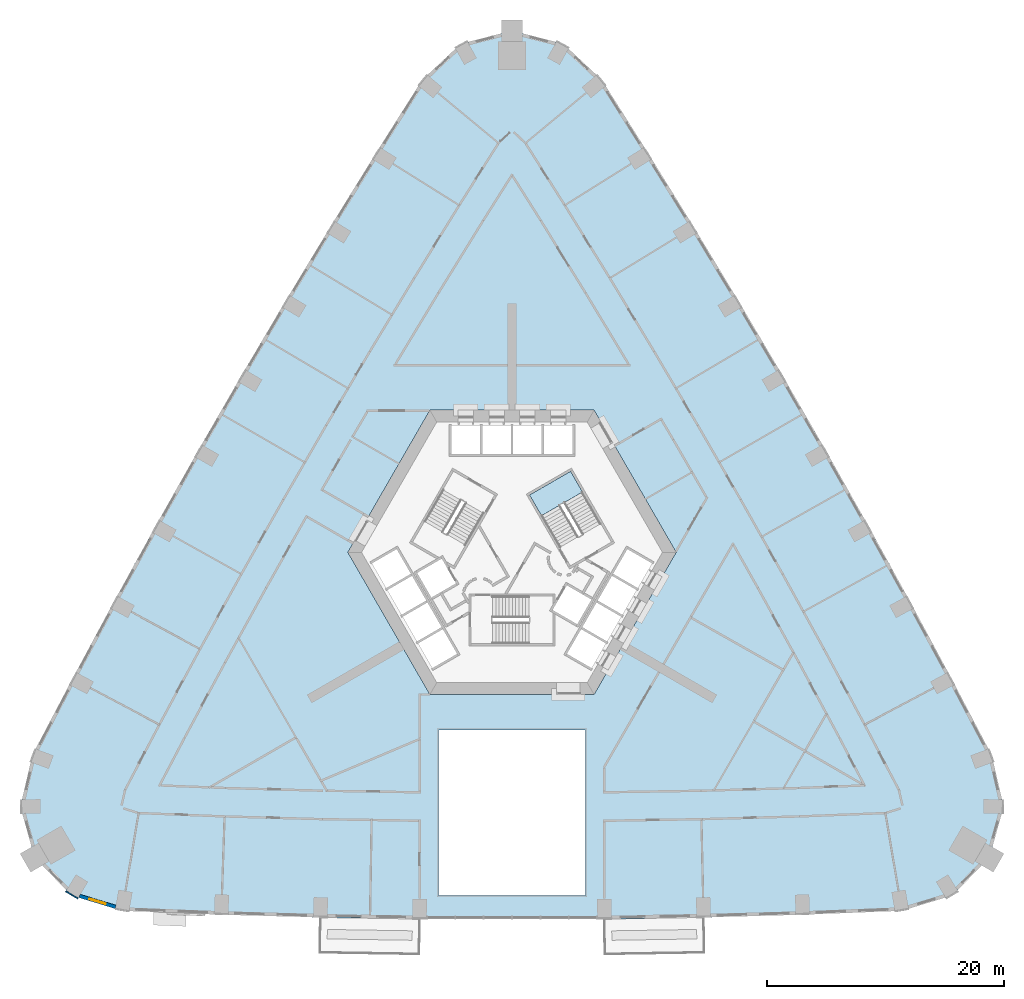
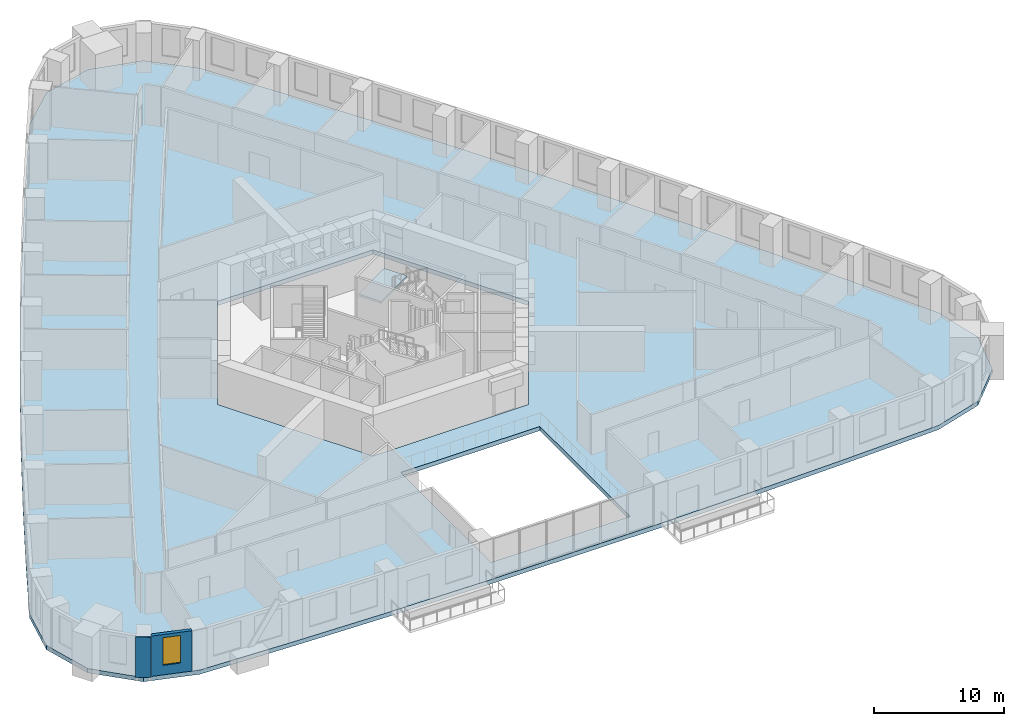
# One storey, part 3 of 15: 2 slabs, 2 walls, 1 window, 1 opening, 1 element without a shape of its own.
"""IFC4 building model written with IfcOpenShell, lengths in metres."""

from ifc_helpers import new_model, si_unit, direction, frame, frame_2d, origin, place, context, subcontext, project, spatial, polyline, rectangle, outline, extrude, material, layer, layer_set, type_object, element, fill, aggregate, save


model = new_model("IFC4")

# Units and contexts
model_context = context("Model", 3, precision=1e-05, world=origin(), true_north=direction((0.0, 1.0)))
body_context = subcontext(model_context, "Body", "Model", "MODEL_VIEW")
ifc_project = project(units=[si_unit("LENGTHUNIT", "METRE"), si_unit("AREAUNIT", "SQUARE_METRE"), si_unit("VOLUMEUNIT", "CUBIC_METRE"), si_unit("PLANEANGLEUNIT", "RADIAN"), si_unit("MASSUNIT", "GRAM", prefix="KILO")], contexts=[model_context])

# Site, building, storey
site_placement = place(None, origin())
site = spatial("IfcSite", under=ifc_project, at=site_placement, CompositionType="ELEMENT")
building_placement = place(site_placement, origin())
building = spatial("IfcBuilding", under=site, at=building_placement, Name="Entoto Arch Interchange Tower", CompositionType="ELEMENT")
storey_placement = place(building_placement, frame((0.0, 0.0, 39.199951171875)))
storey = spatial("IfcBuildingStorey", under=building, at=storey_placement, Name="L07", CompositionType="ELEMENT", Elevation=39.199951171875)

# Stair, slab
ifc_material_1 = material(Name="Concrete C40/50", Category="concrete")
stair_type = type_object("IfcStairType", Name="EXIT STAIR RC 1800", PredefinedType="HALF_TURN_STAIR", material=ifc_material_1)
stair_placement = place(storey_placement, origin())
stair = element("IfcStair", 1, at=stair_placement, inside=storey, type_object=stair_type, Name="L07 Exit stair NE", PredefinedType="HALF_TURN_STAIR")
ifc_layer_1 = layer(ifc_material_1, 0.199951171875)
ifc_layer_set_1 = layer_set([ifc_layer_1], Name="Concrete C40/50")
slab_type_1 = type_object("IfcSlabType", Name="EXIT STAIR LANDING RC 200", PredefinedType="LANDING", material=ifc_layer_set_1)
slab_1_placement = place(storey_placement, frame((0.0, 0.0, 1.900146484375)))
slab_1 = element("IfcSlab", 2, at=slab_1_placement, type_object=slab_type_1, Name="ST-NE landing 1", PredefinedType="LANDING", context=body_context, shape_type="SweptSolid", body=[
    extrude(outline(polyline([(5.953369140625, 7.58837890625), (4.943359375, 9.337890625), (1.479248046875, 7.337890625), (2.4892578125, 5.58837890625), (5.953369140625, 7.58837890625)])), origin(), (0.0, 0.0, 1.0), 0.199951171875),
])
aggregate(stair, [slab_1])

# Slab
ifc_layer_2 = layer(ifc_material_1, 0.39990234375)
ifc_layer_set_2 = layer_set([ifc_layer_2], Name="Concrete C40/50")
slab_type_2 = type_object("IfcSlabType", Name="Post-tensioned flat plate 400 C40/50", PredefinedType="FLOOR", material=ifc_layer_set_2)
slab_2_placement = place(storey_placement, frame((0.0, 0.0, -0.39990234375)))
element("IfcSlab", 3, at=slab_2_placement, inside=storey, type_object=slab_type_2, Name="Floor slab L07", PredefinedType="FLOOR", context=body_context, shape_type="SweptSolid", body=[
    extrude(outline(polyline([(-32.910888671875, -27.758056640625), (-24.5400390625, -28.0869140625), (-16.169921875, -28.321044921875), (-7.800048828125, -28.4580078125), (7.800048828125, -28.4580078125), (16.169921875, -28.321044921875), (24.5400390625, -28.0869140625), (32.910888671875, -27.758056640625), (37.178955078125, -26.45703125), (40.299072265625, -23.26708984375), (41.5029296875, -18.969970703125), (40.493896484375, -14.623046875), (37.093017578125, -8.14501953125), (33.626953125, -1.701904296875), (30.096923828125, 4.705078125), (26.5029296875, 11.077880859375), (22.844970703125, 17.4130859375), (19.123046875, 23.7119140625), (15.339111328125, 29.972900390625), (11.491943359375, 36.196044921875), (7.5830078125, 42.3798828125), (4.322998046875, 45.427001953125), (0.0, 46.532958984375), (-4.322998046875, 45.427001953125), (-7.5830078125, 42.3798828125), (-11.491943359375, 36.196044921875), (-15.339111328125, 29.972900390625), (-19.123046875, 23.7119140625), (-22.844970703125, 17.4130859375), (-26.5029296875, 11.077880859375), (-30.096923828125, 4.705078125), (-33.626953125, -1.701904296875), (-37.093017578125, -8.14501953125), (-40.493896484375, -14.623046875), (-41.5029296875, -18.969970703125), (-40.299072265625, -23.26708984375), (-37.178955078125, -26.45703125), (-32.910888671875, -27.758056640625)]), holes=[polyline([(6.199951171875, -26.4580078125), (6.199951171875, -12.5), (-6.199951171875, -12.5), (-6.199951171875, -26.4580078125), (6.199951171875, -26.4580078125)]), polyline([(13.85595703125, 2.5), (6.927978515625, 14.5), (-6.927978515625, 14.5), (-13.85595703125, 2.5), (-6.927978515625, -9.5), (6.927978515625, -9.5), (13.85595703125, 2.5)])]), origin(), (0.0, 0.0, 1.0), 0.39990234375),
])

# Wall, opening, window
ifc_material_2 = material(Name="Welded tuff (ignimbrite) cladding, warm buff", Category="masonry")
ifc_layer_3 = layer(ifc_material_2, 0.300048828125)
ifc_layer_set_3 = layer_set([ifc_layer_3], Name="Welded tuff (ignimbrite) cladding, warm buff")
wall_type_1 = type_object("IfcWallType", Name="STONE INFILL WALL 300", PredefinedType="STANDARD", material=ifc_layer_set_3)
wall_1_placement = place(storey_placement, frame((-36.507080078125, -26.5048828125, 0.0), z_axis=(0.0, 0.0, 1.0), x_axis=(0.95648967224, -0.291766185322, 0.0)))
wall_1 = element("IfcWall", 4, at=wall_1_placement, inside=storey, type_object=wall_type_1, Name="Facade wall SW-04 L07", PredefinedType="STANDARD", context=body_context, shape_type="SweptSolid", body=[
    extrude(rectangle(XDim=3.181396484375, YDim=0.300048828125, at=frame_2d((1.5908203125, 0.0))), origin(), (0.0, 0.0, 1.0), 3.800048828125),
])
opening_placement = place(wall_1_placement, frame((0.89111328125, 0.0, 0.89990234375)))
opening = element("IfcOpeningElement", 5, at=opening_placement, cuts=wall_1, Name="Opening WO-B", PredefinedType="OPENING", context=body_context, shape_type="SweptSolid", body=[
    extrude(rectangle(XDim=1.39990234375, YDim=2.60009765625, at=frame_2d((0.699951171875, 1.300048828125))), frame((0.0, 0.16015625, 0.0), z_axis=(0.0, -1.0, 0.0), x_axis=(1.0, 0.0, 0.0)), (0.0, 0.0, 1.0), 0.320068359375),
])
ifc_material_3 = material(Name="Clear glass, low-e double glazed", Category="glass")
window_type = type_object("IfcWindowType", Name="WINDOW WO-B 1400x2600", PartitioningType="DOUBLE_PANEL_VERTICAL", PredefinedType="WINDOW", material=ifc_material_3)
window_placement = place(opening_placement, origin())
window = element("IfcWindow", 6, at=window_placement, inside=storey, type_object=window_type, Name="Window WO-B SW-04 L07", OverallHeight=2.60009765625, OverallWidth=1.39990234375, PartitioningType="SINGLE_PANEL", PredefinedType="WINDOW", context=body_context, shape_type="SweptSolid", body=[
    extrude(rectangle(XDim=1.39990234375, YDim=2.60009765625, at=frame_2d((0.699951171875, 1.300048828125))), frame((0.0, 0.030029296875, 0.0), z_axis=(0.0, -1.0, 0.0), x_axis=(1.0, 0.0, 0.0)), (0.0, 0.0, 1.0), 0.06005859375),
])
fill(opening, window)

# Wall
ifc_layer_4 = layer(ifc_material_2, 0.10009765625)
ifc_layer_set_4 = layer_set([ifc_layer_4], Name="Welded tuff (ignimbrite) cladding, warm buff")
wall_type_2 = type_object("IfcWallType", Name="STONE PIER CLADDING 100", PredefinedType="STANDARD", material=ifc_layer_set_4)
wall_2_placement = place(storey_placement, frame((-37.666015625, -26.10302734375, 0.0), z_axis=(0.0, 0.0, 1.0), x_axis=(0.854771404281, -0.51900466898, 0.0)))
element("IfcWall", 7, at=wall_2_placement, inside=storey, type_object=wall_type_2, Name="Stone pier SW3 L07", PredefinedType="STANDARD", context=body_context, shape_type="SweptSolid", body=[
    extrude(rectangle(XDim=1.200439453125, YDim=0.10009765625, at=frame_2d((0.60009765625, 0.0))), origin(), (0.0, 0.0, 1.0), 3.800048828125),
])

save(model, "model.ifc")
